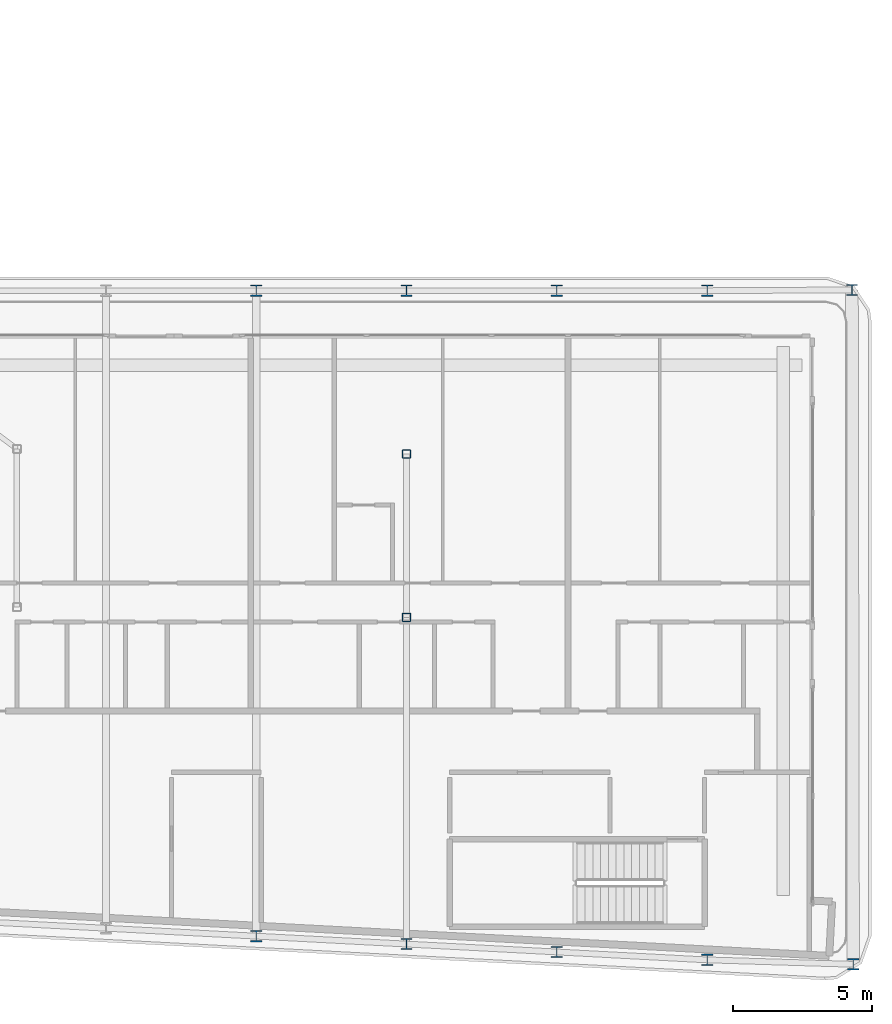
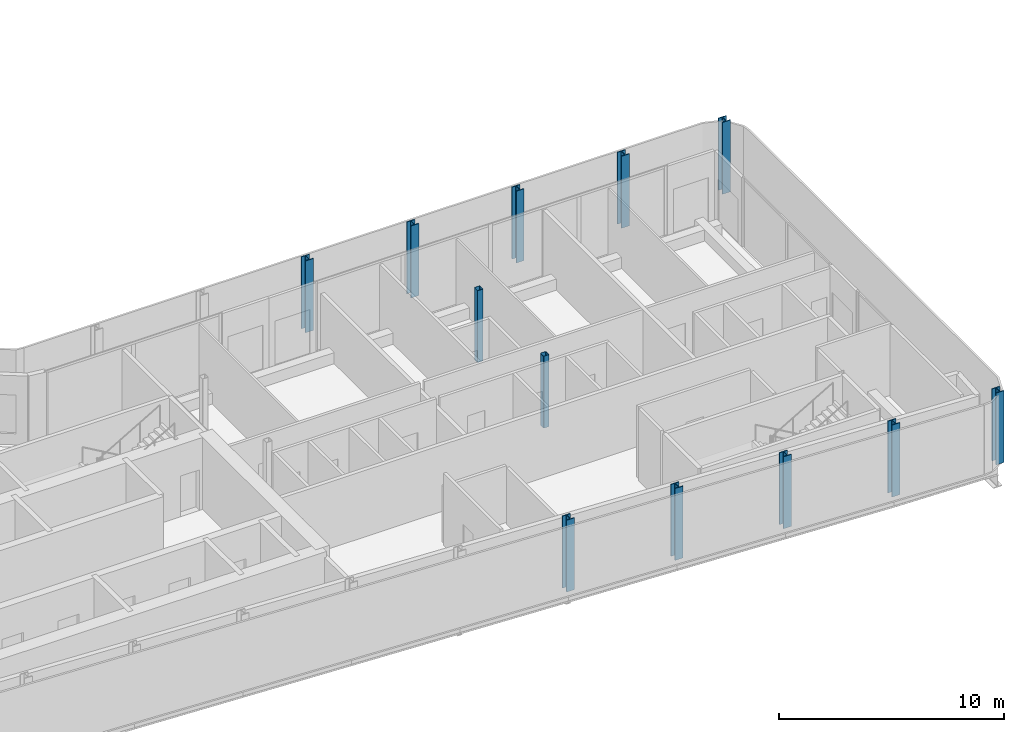
# One storey, part 2 of 22: 12 columns.
"""IFC4 building model written with IfcOpenShell, lengths in metres."""

from ifc_helpers import new_model, si_unit, direction, frame, origin, origin_2d, place, context, subcontext, project, spatial, hollow_rectangle, i_section, extrude, material, material_profile, profile_set, type_object, element, save


model = new_model("IFC4")

# Units and contexts
model_context = context("Model", 3, precision=1e-05, world=origin(), true_north=direction((0.0, 1.0)))
body_context = subcontext(model_context, "Body", "Model", "MODEL_VIEW")
ifc_project = project(units=[si_unit("LENGTHUNIT", "METRE"), si_unit("AREAUNIT", "SQUARE_METRE"), si_unit("VOLUMEUNIT", "CUBIC_METRE"), si_unit("PLANEANGLEUNIT", "RADIAN"), si_unit("MASSUNIT", "GRAM", prefix="KILO")], contexts=[model_context])

# Site, building, storey
site_placement = place(None, origin())
site = spatial("IfcSite", under=ifc_project, at=site_placement, CompositionType="ELEMENT")
building_placement = place(site_placement, origin())
building = spatial("IfcBuilding", under=site, at=building_placement, Name="Kheshtan School and Residences Tower", CompositionType="ELEMENT")
storey_placement = place(building_placement, frame((0.0, 0.0, 255.199951171875)))
storey = spatial("IfcBuildingStorey", under=building, at=storey_placement, Name="L60", CompositionType="ELEMENT", Elevation=255.199951171875)

# Columns
ifc_material_1 = material(Name="Steel ASTM A992 Grade 50", Category="steel")
ifc_material_profile_1 = material_profile(ifc_material_1, i_section(OverallWidth=0.404052734375, OverallDepth=0.406982421875, WebThickness=0.027099609375, FlangeThickness=0.043701171875, FilletRadius=0.01220703125, at=origin_2d()), Name="W360x347")
ifc_profile_set_1 = profile_set([ifc_material_profile_1], Name="Steel ASTM A992 Grade 50")
column_type_1 = type_object("IfcColumnType", Name="Column C4 W360x347 ASTM A992 Grade 50", PredefinedType="COLUMN", material=ifc_profile_set_1)
for number, where, z_axis, x_axis, name in (
    (1, (85.243896484375, 21.39990234375, 0.0), (0.0, 0.0, 1.0), (1.0, 0.0, 0.0), "Column C011"),
    (2, (80.0, 21.55810546875, 0.0), (0.0, 0.0, 1.0), (1.0, 0.0, 0.0), "Column C012"),
    (3, (74.60009765625, 21.843017578125, 0.0), (0.0, 0.0, 1.0), (1.0, 0.0, 0.0), "Column C013"),
    (4, (69.199951171875, 22.126953125, 0.0), (0.0, 0.0, 1.0), (1.0, 0.0, 0.0), "Column C014"),
    (5, (63.800048828125, 22.410888671875, 0.0), (0.0, 0.0, 1.0), (1.0, 0.0, 0.0), "Column C016"),
    (6, (63.800048828125, 45.60009765625, 0.0), (0.0, 0.0, 1.0), (1.0, 0.0, 0.0), "Column C063"),
    (7, (69.199951171875, 45.60009765625, 0.0), (0.0, 0.0, 1.0), (1.0, 0.0, 0.0), "Column C064"),
    (8, (74.60009765625, 45.60009765625, 0.0), (0.0, 0.0, 1.0), (1.0, 0.0, 0.0), "Column C065"),
    (9, (80.0, 45.60009765625, 0.0), (0.0, 0.0, 1.0), (1.0, 0.0, 0.0), "Column C066"),
    (10, (85.201904296875, 45.6279296875, 0.0), (0.0, 0.0, 1.0), (1.0, 0.0, 0.0), "Column C076"),
):
    element("IfcColumn", number, at=place(storey_placement, frame(where, z_axis=z_axis, x_axis=x_axis)), inside=storey, type_object=column_type_1, Name=name, PredefinedType="COLUMN", context=body_context, shape_type="SweptSolid", body=[
        extrude(i_section(OverallWidth=0.404052734375, OverallDepth=0.406982421875, WebThickness=0.027099609375, FlangeThickness=0.043701171875, FilletRadius=0.01220703125, at=origin_2d()), origin(), (0.0, 0.0, 1.0), 3.900146484375),
    ])
ifc_material_2 = material(Name="Steel ASTM A500 Grade C", Category="steel")
ifc_material_profile_2 = material_profile(ifc_material_2, hollow_rectangle(XDim=0.304931640625, YDim=0.304931640625, WallThickness=0.015869140625, InnerFilletRadius=0.015869140625, OuterFilletRadius=0.03173828125, at=origin_2d()), Name="HSS 305x305x15.9")
ifc_profile_set_2 = profile_set([ifc_material_profile_2], Name="Steel ASTM A500 Grade C")
column_type_2 = type_object("IfcColumnType", Name="Column IC2 HSS 305x305x15.9 ASTM A500 Grade C", PredefinedType="COLUMN", material=ifc_profile_set_2)
for number, where, z_axis, x_axis, name in (
    (11, (69.199951171875, 33.863037109375, 0.0), (0.0, 0.0, 1.0), (1.0, 0.0, 0.0), "Column C050"),
    (12, (69.199951171875, 39.73193359375, 0.0), (0.0, 0.0, 1.0), (1.0, 0.0, 0.0), "Column C054"),
):
    element("IfcColumn", number, at=place(storey_placement, frame(where, z_axis=z_axis, x_axis=x_axis)), inside=storey, type_object=column_type_2, Name=name, PredefinedType="COLUMN", context=body_context, shape_type="SweptSolid", body=[
        extrude(hollow_rectangle(XDim=0.304931640625, YDim=0.304931640625, WallThickness=0.015869140625, InnerFilletRadius=0.015869140625, OuterFilletRadius=0.03173828125, at=origin_2d()), origin(), (0.0, 0.0, 1.0), 3.900146484375),
    ])

save(model, "model.ifc")
